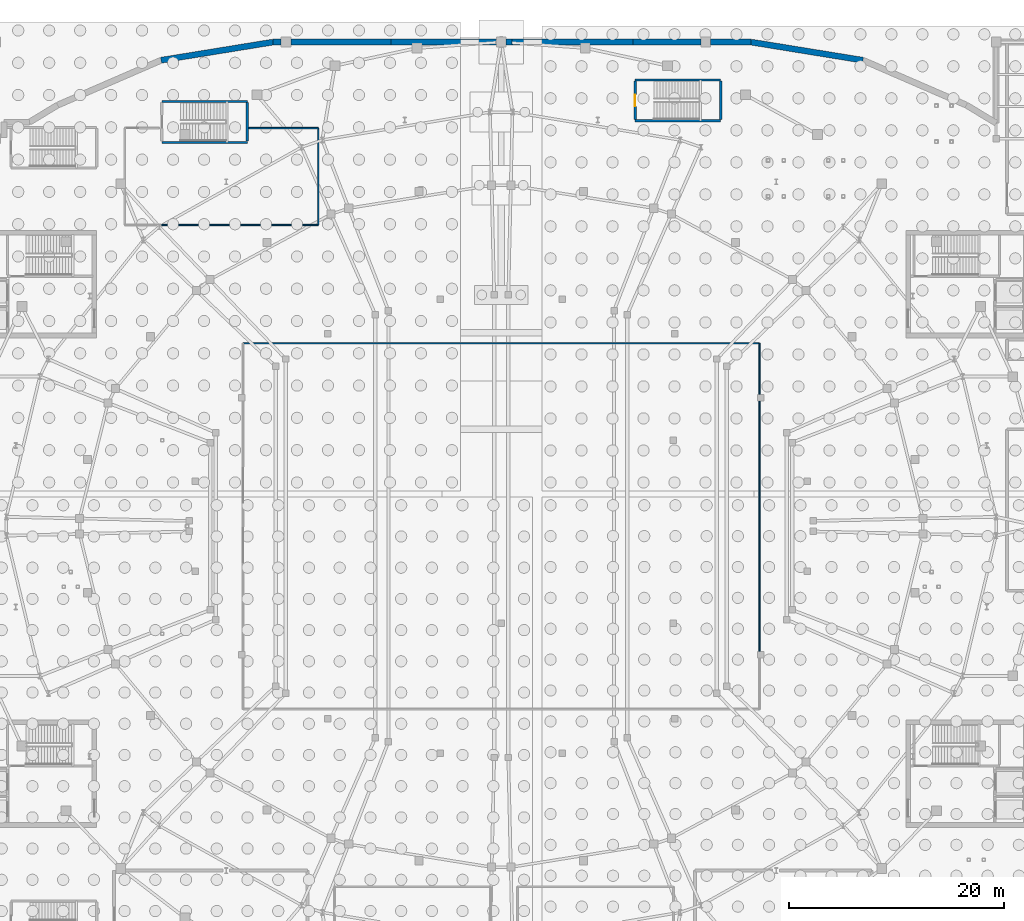
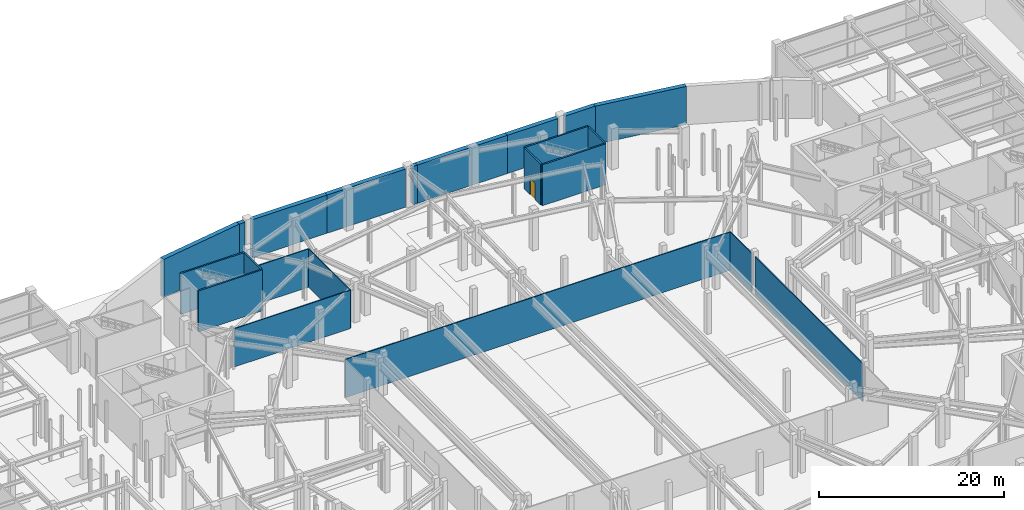
# One storey, part 46 of 56: 22 walls, 1 door, 1 opening.
"""IFC4 building model written with IfcOpenShell, lengths in metres."""

from ifc_helpers import new_model, si_unit, direction, frame, frame_2d, origin, place, context, subcontext, project, spatial, rectangle, extrude, material, layer, layer_set, type_object, element, fill, save


model = new_model("IFC4")

# Units and contexts
model_context = context("Model", 3, precision=1e-05, world=origin(), true_north=direction((0.0, 1.0)))
body_context = subcontext(model_context, "Body", "Model", "MODEL_VIEW")
ifc_project = project(units=[si_unit("LENGTHUNIT", "METRE"), si_unit("AREAUNIT", "SQUARE_METRE"), si_unit("VOLUMEUNIT", "CUBIC_METRE"), si_unit("PLANEANGLEUNIT", "RADIAN"), si_unit("MASSUNIT", "GRAM", prefix="KILO")], contexts=[model_context])

# Site, building, storey
site_placement = place(None, origin())
site = spatial("IfcSite", under=ifc_project, at=site_placement, CompositionType="ELEMENT")
building_placement = place(site_placement, origin())
building = spatial("IfcBuilding", under=site, at=building_placement, Name="Glasvene Arena", CompositionType="ELEMENT")
storey_placement = place(building_placement, frame((0.0, 0.0, -5.39990234375)))
storey = spatial("IfcBuildingStorey", under=building, at=storey_placement, Name="B1", CompositionType="ELEMENT", Elevation=-5.39990234375)

# Walls
ifc_material_1 = material(Name="Lightweight gypsum metal-stud partition")
ifc_layer_1 = layer(ifc_material_1, 0.1201171875)
ifc_layer_set_1 = layer_set([ifc_layer_1], Name="Lightweight gypsum metal-stud partition")
wall_type_1 = type_object("IfcWallType", Name="WL-PART-120", PredefinedType="PARTITIONING", material=ifc_layer_set_1)
wall_1_placement = place(storey_placement, frame((68.0, 90.0, 0.0), z_axis=(0.0, 0.0, 1.0), x_axis=(1.0, 0.0, 0.0)))
element("IfcWall", 1, at=wall_1_placement, inside=storey, type_object=wall_type_1, Name="Interior partition wall IW-B1-0001 (Event Floor Marshalling Hall)", PredefinedType="PARTITIONING", context=body_context, shape_type="SweptSolid", body=[
    extrude(rectangle(XDim=48.0, YDim=0.1201171875, at=frame_2d((24.0, 0.0))), origin(), (0.0, 0.0, 1.0), 5.039794921875),
])
wall_2_placement = place(storey_placement, frame((116.0, 90.0, 0.0), z_axis=(0.0, 0.0, 1.0), x_axis=(0.0, -1.0, 0.0)))
element("IfcWall", 2, at=wall_2_placement, inside=storey, type_object=wall_type_1, Name="Interior partition wall IW-B1-0002 (Event Floor Marshalling Hall)", PredefinedType="PARTITIONING", context=body_context, shape_type="SweptSolid", body=[
    extrude(rectangle(XDim=4.723388671875, YDim=0.1201171875, at=frame_2d((2.36181640625, 0.0))), origin(), (0.0, 0.0, 1.0), 5.039794921875),
])
wall_3_placement = place(storey_placement, frame((116.0, 84.613037109375, 0.0), z_axis=(0.0, 0.0, 1.0), x_axis=(0.0, -1.0, 0.0)))
element("IfcWall", 3, at=wall_3_placement, inside=storey, type_object=wall_type_1, Name="Interior partition wall IW-B1-0003 (Event Floor Marshalling Hall)", PredefinedType="PARTITIONING", context=body_context, shape_type="SweptSolid", body=[
    extrude(rectangle(XDim=23.22607421875, YDim=0.1201171875, at=frame_2d((11.613037109375, 0.0))), origin(), (0.0, 0.0, 1.0), 5.039794921875),
])
wall_4_placement = place(storey_placement, frame((75.0, 110.0, 0.0), z_axis=(0.0, 0.0, 1.0), x_axis=(0.0, -1.0, 0.0)))
element("IfcWall", 4, at=wall_4_placement, inside=storey, type_object=wall_type_1, Name="Interior partition wall IW-B1-0026 (Match Officials Changing Suite)", PredefinedType="PARTITIONING", context=body_context, shape_type="SweptSolid", body=[
    extrude(rectangle(XDim=9.0, YDim=0.1201171875, at=frame_2d((4.5, 0.0))), origin(), (0.0, 0.0, 1.0), 5.039794921875),
])
wall_5_placement = place(storey_placement, frame((75.0, 101.0, 0.0), z_axis=(0.0, 0.0, 1.0), x_axis=(-1.0, 0.0, 0.0)))
element("IfcWall", 5, at=wall_5_placement, inside=storey, type_object=wall_type_1, Name="Interior partition wall IW-B1-0027 (Match Officials Changing Suite)", PredefinedType="PARTITIONING", context=body_context, shape_type="SweptSolid", body=[
    extrude(rectangle(XDim=14.556396484375, YDim=0.1201171875, at=frame_2d((7.2783203125, 0.0))), origin(), (0.0, 0.0, 1.0), 5.039794921875),
])
wall_6_placement = place(storey_placement, frame((68.550048828125, 110.0, 0.0), z_axis=(0.0, 0.0, 1.0), x_axis=(1.0, 0.0, 0.0)))
element("IfcWall", 6, at=wall_6_placement, inside=storey, type_object=wall_type_1, Name="Interior partition wall IW-B1-0032 (Match Officials Changing Suite)", PredefinedType="PARTITIONING", context=body_context, shape_type="SweptSolid", body=[
    extrude(rectangle(XDim=6.449951171875, YDim=0.1201171875, at=frame_2d((3.22509765625, 0.0))), origin(), (0.0, 0.0, 1.0), 5.039794921875),
])
ifc_material_2 = material(Name="Concrete C40/50", Category="concrete")
ifc_layer_2 = layer(ifc_material_2, 0.550048828125)
ifc_layer_set_2 = layer_set([ifc_layer_2], Name="Concrete C40/50")
wall_type_2 = type_object("IfcWallType", Name="WL-RET-550", PredefinedType="SOLIDWALL", material=ifc_layer_set_2)
wall_7_placement = place(storey_placement, frame((60.380859375, 116.3076171875, 0.0), z_axis=(0.0, 0.0, 1.0), x_axis=(0.987056625979, 0.160372120738, 0.0)))
element("IfcWall", 7, at=wall_7_placement, inside=storey, type_object=wall_type_2, Name="Basement retaining wall B1-018", PredefinedType="SOLIDWALL", context=body_context, shape_type="SweptSolid", body=[
    extrude(rectangle(XDim=10.552734375, YDim=0.550048828125, at=frame_2d((5.2763671875, 0.0))), origin(), (0.0, 0.0, 1.0), 5.039794921875),
])
wall_8_placement = place(storey_placement, frame((70.797119140625, 118.0, 0.0), z_axis=(0.0, 0.0, 1.0), x_axis=(1.0, 0.0, 0.0)))
element("IfcWall", 8, at=wall_8_placement, inside=storey, type_object=wall_type_2, Name="Basement retaining wall B1-019", PredefinedType="SOLIDWALL", context=body_context, shape_type="SweptSolid", body=[
    extrude(rectangle(XDim=0.7509765625, YDim=0.550048828125, at=frame_2d((0.37548828125, 0.0))), origin(), (0.0, 0.0, 1.0), 5.039794921875),
])
wall_9_placement = place(storey_placement, frame((72.451904296875, 118.0, 0.0), z_axis=(0.0, 0.0, 1.0), x_axis=(1.0, 0.0, 0.0)))
element("IfcWall", 9, at=wall_9_placement, inside=storey, type_object=wall_type_2, Name="Basement retaining wall B1-020", PredefinedType="SOLIDWALL", context=body_context, shape_type="SweptSolid", body=[
    extrude(rectangle(XDim=9.308349609375, YDim=0.550048828125, at=frame_2d((4.654296875, 0.0))), origin(), (0.0, 0.0, 1.0), 5.039794921875),
])
wall_10_placement = place(storey_placement, frame((81.76025390625, 118.0, 0.0), z_axis=(0.0, 0.0, 1.0), x_axis=(1.0, 0.0, 0.0)))
element("IfcWall", 10, at=wall_10_placement, inside=storey, type_object=wall_type_2, Name="Basement retaining wall B1-021", PredefinedType="SOLIDWALL", context=body_context, shape_type="SweptSolid", body=[
    extrude(rectangle(XDim=9.787841796875, YDim=0.550048828125, at=frame_2d((4.89404296875, 0.0))), origin(), (0.0, 0.0, 1.0), 5.039794921875),
])
wall_11_placement = place(storey_placement, frame((92.451904296875, 118.0, 0.0), z_axis=(0.0, 0.0, 1.0), x_axis=(1.0, 0.0, 0.0)))
element("IfcWall", 11, at=wall_11_placement, inside=storey, type_object=wall_type_2, Name="Basement retaining wall B1-022", PredefinedType="SOLIDWALL", context=body_context, shape_type="SweptSolid", body=[
    extrude(rectangle(XDim=0.548095703125, YDim=0.550048828125, at=frame_2d((0.27392578125, 0.0))), origin(), (0.0, 0.0, 1.0), 5.039794921875),
])
wall_12_placement = place(storey_placement, frame((93.0, 118.0, 0.0), z_axis=(0.0, 0.0, 1.0), x_axis=(1.0, 0.0, 0.0)))
element("IfcWall", 12, at=wall_12_placement, inside=storey, type_object=wall_type_2, Name="Basement retaining wall B1-023", PredefinedType="SOLIDWALL", context=body_context, shape_type="SweptSolid", body=[
    extrude(rectangle(XDim=11.23974609375, YDim=0.550048828125, at=frame_2d((5.619873046875, 0.0))), origin(), (0.0, 0.0, 1.0), 5.039794921875),
])
wall_13_placement = place(storey_placement, frame((104.23974609375, 118.0, 0.0), z_axis=(0.0, 0.0, 1.0), x_axis=(1.0, 0.0, 0.0)))
element("IfcWall", 13, at=wall_13_placement, inside=storey, type_object=wall_type_2, Name="Basement retaining wall B1-024", PredefinedType="SOLIDWALL", context=body_context, shape_type="SweptSolid", body=[
    extrude(rectangle(XDim=6.308349609375, YDim=0.550048828125, at=frame_2d((3.154296875, 0.0))), origin(), (0.0, 0.0, 1.0), 5.039794921875),
])
wall_14_placement = place(storey_placement, frame((111.451904296875, 118.0, 0.0), z_axis=(0.0, 0.0, 1.0), x_axis=(1.0, 0.0, 0.0)))
element("IfcWall", 14, at=wall_14_placement, inside=storey, type_object=wall_type_2, Name="Basement retaining wall B1-025", PredefinedType="SOLIDWALL", context=body_context, shape_type="SweptSolid", body=[
    extrude(rectangle(XDim=3.7509765625, YDim=0.550048828125, at=frame_2d((1.87548828125, 0.0))), origin(), (0.0, 0.0, 1.0), 5.039794921875),
])
wall_15_placement = place(storey_placement, frame((115.202880859375, 118.0, 0.0), z_axis=(0.0, 0.0, 1.0), x_axis=(0.987056625979, -0.160372120738, 0.0)))
element("IfcWall", 15, at=wall_15_placement, inside=storey, type_object=wall_type_2, Name="Basement retaining wall B1-026", PredefinedType="SOLIDWALL", context=body_context, shape_type="SweptSolid", body=[
    extrude(rectangle(XDim=10.552734375, YDim=0.550048828125, at=frame_2d((5.2763671875, 0.0))), origin(), (0.0, 0.0, 1.0), 5.039794921875),
])
ifc_layer_3 = layer(ifc_material_2, 0.199951171875)
ifc_layer_set_3 = layer_set([ifc_layer_3], Name="Concrete C40/50")
wall_type_3 = type_object("IfcWallType", Name="WL-SHAFT-200", PredefinedType="SHEAR", material=ifc_layer_set_3)
wall_16_placement = place(storey_placement, frame((60.449951171875, 108.679931640625, 0.0), z_axis=(0.0, 0.0, 1.0), x_axis=(1.0, 0.0, 0.0)))
element("IfcWall", 16, at=wall_16_placement, inside=storey, type_object=wall_type_3, Name="Escape stair shaft wall ST-10 B1 S", PredefinedType="SHEAR", context=body_context, shape_type="SweptSolid", body=[
    extrude(rectangle(XDim=7.949951171875, YDim=0.199951171875, at=frame_2d((3.97509765625, 0.0))), origin(), (0.0, 0.0, 1.0), 5.39990234375),
])
wall_17_placement = place(storey_placement, frame((68.39990234375, 108.781982421875, 0.0), z_axis=(0.0, 0.0, 1.0), x_axis=(0.0, 1.0, 0.0)))
element("IfcWall", 17, at=wall_17_placement, inside=storey, type_object=wall_type_3, Name="Escape stair shaft wall ST-10 B1 E", PredefinedType="SHEAR", context=body_context, shape_type="SweptSolid", body=[
    extrude(rectangle(XDim=3.5859375, YDim=0.199951171875, at=frame_2d((1.79296875, 0.0))), origin(), (0.0, 0.0, 1.0), 5.39990234375),
])
for number, where, z_axis, x_axis, name in (
    (18, (60.449951171875, 112.469970703125, 0.0), (0.0, 0.0, 1.0), (1.0, 0.0, 0.0), "Escape stair shaft wall ST-10 B1 N"),
    (19, (104.449951171875, 110.679931640625, 0.0), (0.0, 0.0, 1.0), (1.0, 0.0, 0.0), "Escape stair shaft wall ST-11 B1 S"),
):
    element("IfcWall", number, at=place(storey_placement, frame(where, z_axis=z_axis, x_axis=x_axis)), inside=storey, type_object=wall_type_3, Name=name, PredefinedType="SHEAR", context=body_context, shape_type="SweptSolid", body=[
        extrude(rectangle(XDim=7.949951171875, YDim=0.199951171875, at=frame_2d((3.97509765625, 0.0))), origin(), (0.0, 0.0, 1.0), 5.39990234375),
    ])

# Wall, opening, door
wall_18_placement = place(storey_placement, frame((104.449951171875, 110.781982421875, 0.0), z_axis=(0.0, 0.0, 1.0), x_axis=(0.0, 1.0, 0.0)))
wall_18 = element("IfcWall", 20, at=wall_18_placement, inside=storey, type_object=wall_type_3, Name="Escape stair shaft wall ST-11 B1 W", PredefinedType="SHEAR", context=body_context, shape_type="SweptSolid", body=[
    extrude(rectangle(XDim=3.5859375, YDim=0.199951171875, at=frame_2d((1.79296875, 0.0))), origin(), (0.0, 0.0, 1.0), 5.39990234375),
])
opening_placement = place(wall_18_placement, frame((1.242919921875, 0.0, 0.0)))
opening = element("IfcOpeningElement", 21, at=opening_placement, cuts=wall_18, Name="Opening D-04", PredefinedType="OPENING", context=body_context, shape_type="SweptSolid", body=[
    extrude(rectangle(XDim=1.10009765625, YDim=2.14990234375, at=frame_2d((0.550048828125, 1.074951171875))), frame((0.0, 0.10986328125, 0.0), z_axis=(0.0, -1.0, 0.0), x_axis=(1.0, 0.0, 0.0)), (0.0, 0.0, 1.0), 0.219970703125),
])
ifc_material_3 = material(Name="Painted fire-resisting steel", Category="steel")
door_type = type_object("IfcDoorType", Name="DR-FD60-1100", OperationType="NOTDEFINED", PredefinedType="DOOR", material=ifc_material_3)
door_placement = place(opening_placement, frame((1.10009765625, 0.0, 0.0), z_axis=(0.0, 0.0, 1.0), x_axis=(-1.0, 0.0, 0.0)))
door = element("IfcDoor", 22, at=door_placement, inside=storey, type_object=door_type, Name="Protected escape stair door ST-11 B1", OperationType="SINGLE_SWING_RIGHT", OverallHeight=2.14990234375, OverallWidth=1.10009765625, PredefinedType="DOOR", context=body_context, shape_type="SweptSolid", body=[
    extrude(rectangle(XDim=1.10009765625, YDim=2.14990234375, at=frame_2d((0.550048828125, 1.074951171875))), frame((0.0, 0.02490234375, 0.0), z_axis=(0.0, -1.0, 0.0), x_axis=(1.0, 0.0, 0.0)), (0.0, 0.0, 1.0), 0.050048828125),
])
fill(opening, door)

# Walls
wall_19_placement = place(storey_placement, frame((112.39990234375, 110.781982421875, 0.0), z_axis=(0.0, 0.0, 1.0), x_axis=(0.0, 1.0, 0.0)))
element("IfcWall", 23, at=wall_19_placement, inside=storey, type_object=wall_type_3, Name="Escape stair shaft wall ST-11 B1 E", PredefinedType="SHEAR", context=body_context, shape_type="SweptSolid", body=[
    extrude(rectangle(XDim=3.5859375, YDim=0.199951171875, at=frame_2d((1.79296875, 0.0))), origin(), (0.0, 0.0, 1.0), 5.39990234375),
])
wall_20_placement = place(storey_placement, frame((104.449951171875, 114.469970703125, 0.0), z_axis=(0.0, 0.0, 1.0), x_axis=(1.0, 0.0, 0.0)))
element("IfcWall", 24, at=wall_20_placement, inside=storey, type_object=wall_type_3, Name="Escape stair shaft wall ST-11 B1 N", PredefinedType="SHEAR", context=body_context, shape_type="SweptSolid", body=[
    extrude(rectangle(XDim=7.949951171875, YDim=0.199951171875, at=frame_2d((3.97509765625, 0.0))), origin(), (0.0, 0.0, 1.0), 5.39990234375),
])

save(model, "model.ifc")
